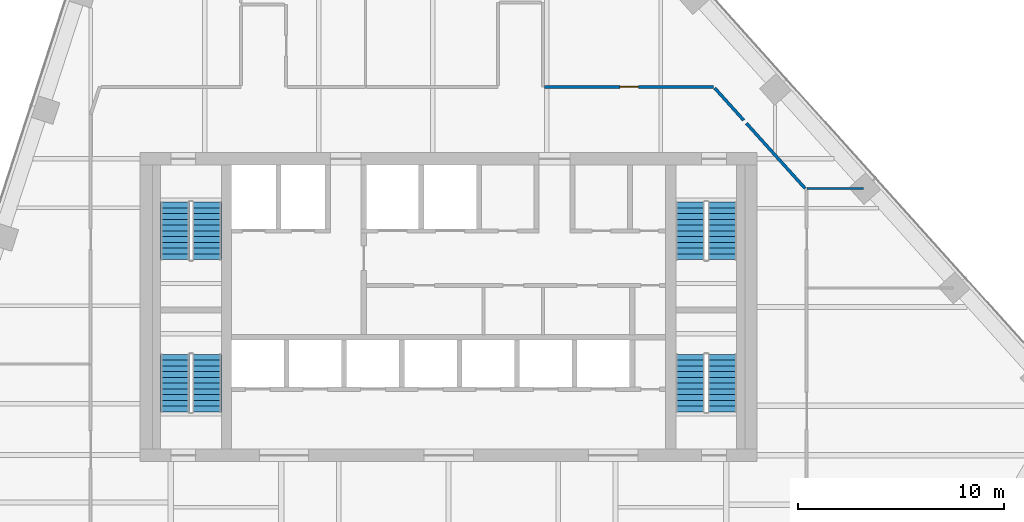
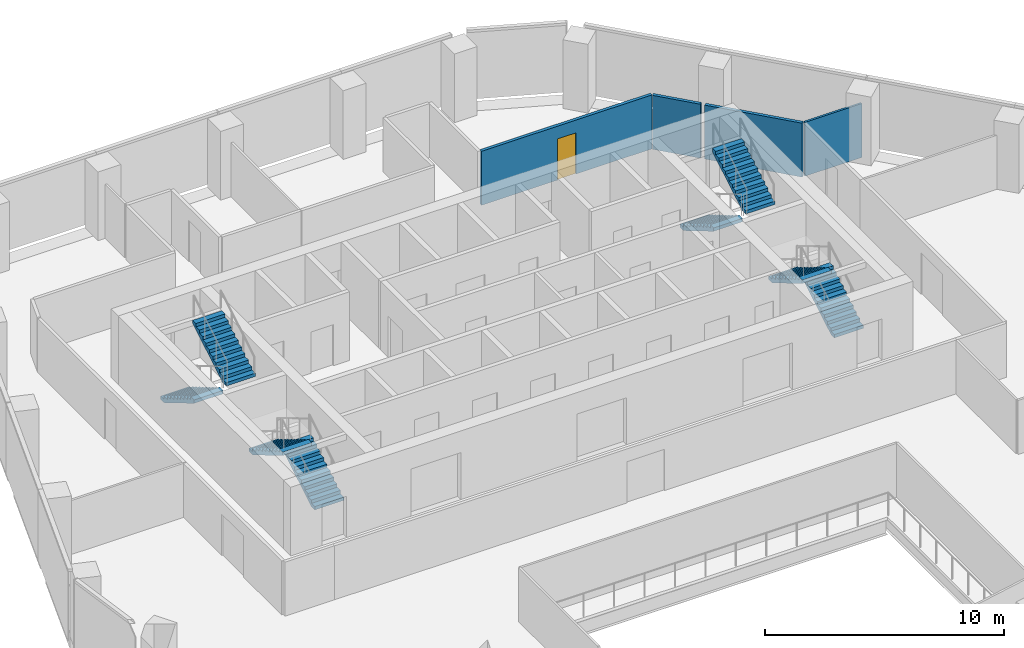
# One storey, part 11 of 15: 8 stair flights, 4 walls, 1 door, 1 opening, 4 elements without a shape of their own.
"""IFC4 building model written with IfcOpenShell, lengths in metres."""

from ifc_helpers import new_model, si_unit, direction, frame, frame_2d, origin, place, context, subcontext, project, spatial, polyline, rectangle, outline, extrude, material, layer, layer_set, type_object, element, fill, aggregate, save


model = new_model("IFC4")

# Units and contexts
model_context = context("Model", 3, precision=1e-05, world=origin(), true_north=direction((0.0, 1.0)))
body_context = subcontext(model_context, "Body", "Model", "MODEL_VIEW")
ifc_project = project(units=[si_unit("LENGTHUNIT", "METRE"), si_unit("AREAUNIT", "SQUARE_METRE"), si_unit("VOLUMEUNIT", "CUBIC_METRE"), si_unit("PLANEANGLEUNIT", "RADIAN"), si_unit("MASSUNIT", "GRAM", prefix="KILO")], contexts=[model_context])

# Site, building, storey
site_placement = place(None, origin())
site = spatial("IfcSite", under=ifc_project, at=site_placement, CompositionType="ELEMENT")
building_placement = place(site_placement, origin())
building = spatial("IfcBuilding", under=site, at=building_placement, Name="Isthmus Gate Tower", CompositionType="ELEMENT")
storey_placement = place(building_placement, frame((0.0, 0.0, 241.85009765625)))
storey = spatial("IfcBuildingStorey", under=building, at=storey_placement, Name="L61", CompositionType="ELEMENT", Elevation=241.85009765625)

# Wall, opening, door
ifc_material_1 = material(Name="Gypsum board on steel studs, fire-rated", Category="steel")
ifc_layer_1 = layer(ifc_material_1, 0.14990234375)
ifc_layer_set_1 = layer_set([ifc_layer_1], Name="CORRIDOR WALL 150 60 MIN")
wall_type_1 = type_object("IfcWallType", Name="CORRIDOR WALL 150 60 MIN", PredefinedType="PARTITIONING", material=ifc_layer_set_1)
wall_1_placement = place(storey_placement, frame((4.675048828125, 18.199951171875, 0.0), z_axis=(0.0, 0.0, 1.0), x_axis=(1.0, 0.0, 0.0)))
wall_1 = element("IfcWall", 1, at=wall_1_placement, inside=storey, type_object=wall_type_1, Name="L61 Corridor Wall 150 60 Min", PredefinedType="PARTITIONING", context=body_context, shape_type="SweptSolid", body=[
    extrude(rectangle(XDim=8.2099609375, YDim=0.14990234375, at=frame_2d((4.10498046875, 0.0))), origin(), (0.0, 0.0, 1.0), 2.75048828125),
])
opening_placement = place(wall_1_placement, frame((3.655029296875, 0.0, 0.0)))
opening = element("IfcOpeningElement", 2, at=opening_placement, cuts=wall_1, Name="Opening DT-T5C-03", PredefinedType="OPENING", context=body_context, shape_type="SweptSolid", body=[
    extrude(rectangle(XDim=0.89990234375, YDim=2.10009765625, at=frame_2d((0.449951171875, 1.050048828125))), frame((0.0, 0.0849609375, 0.0), z_axis=(0.0, -1.0, 0.0), x_axis=(1.0, 0.0, 0.0)), (0.0, 0.0, 1.0), 0.169921875),
])
ifc_material_2 = material(Name="Solid core timber door leaf, fire-rated", Category="wood")
door_type = type_object("IfcDoorType", Name="FIRE DOOR ROOM 900 X 2100 60 MIN", OperationType="SINGLE_SWING_LEFT", PredefinedType="DOOR", material=ifc_material_2)
door_placement = place(opening_placement, origin())
door = element("IfcDoor", 3, at=door_placement, inside=storey, type_object=door_type, Name="L61 room door", OperationType="SINGLE_SWING_RIGHT", OverallHeight=2.10009765625, OverallWidth=0.89990234375, PredefinedType="DOOR", context=body_context, shape_type="SweptSolid", body=[
    extrude(rectangle(XDim=0.89990234375, YDim=2.10009765625, at=frame_2d((0.449951171875, 1.050048828125))), frame((0.0, 0.02490234375, 0.0), z_axis=(0.0, -1.0, 0.0), x_axis=(1.0, 0.0, 0.0)), (0.0, 0.0, 1.0), 0.050048828125),
])
fill(opening, door)

# Walls
wall_2_placement = place(storey_placement, frame((12.935302734375, 18.144287109375, 0.0), z_axis=(0.0, 0.0, 1.0), x_axis=(0.669054213286, -0.743213603, 0.0)))
element("IfcWall", 4, at=wall_2_placement, inside=storey, type_object=wall_type_1, Name="L61 Corridor Wall 150 60 Min", PredefinedType="PARTITIONING", context=body_context, shape_type="SweptSolid", body=[
    extrude(rectangle(XDim=2.1103515625, YDim=0.14990234375, at=frame_2d((1.05517578125, 0.0))), origin(), (0.0, 0.0, 1.0), 2.75048828125),
])
wall_3_placement = place(storey_placement, frame((14.47607421875, 16.432861328125, 0.0), z_axis=(0.0, 0.0, 1.0), x_axis=(0.669119130918, -0.74315515785, 0.0)))
element("IfcWall", 5, at=wall_3_placement, inside=storey, type_object=wall_type_1, Name="L61 Corridor Wall 150 60 Min", PredefinedType="PARTITIONING", context=body_context, shape_type="SweptSolid", body=[
    extrude(rectangle(XDim=4.2802734375, YDim=0.14990234375, at=frame_2d((2.14013671875, 0.0))), origin(), (0.0, 0.0, 1.0), 2.75048828125),
])
ifc_material_3 = material(Name="Gypsum board on steel studs, fire-rated", Category="steel")
ifc_layer_2 = layer(ifc_material_3, 0.10009765625)
ifc_layer_set_2 = layer_set([ifc_layer_2], Name="ROOM PARTITION 100 30 MIN")
wall_type_2 = type_object("IfcWallType", Name="ROOM PARTITION 100 30 MIN", PredefinedType="PARTITIONING", material=ifc_layer_set_2)
wall_4_placement = place(storey_placement, frame((17.423095703125, 13.251953125, 0.0), z_axis=(0.0, 0.0, 1.0), x_axis=(1.0, 0.0, 0.0)))
element("IfcWall", 6, at=wall_4_placement, inside=storey, type_object=wall_type_2, Name="L61 Room Partition 100 30 Min", PredefinedType="PARTITIONING", context=body_context, shape_type="SweptSolid", body=[
    extrude(rectangle(XDim=2.742919921875, YDim=0.10009765625, at=frame_2d((1.37158203125, 0.0))), origin(), (0.0, 0.0, 1.0), 2.75048828125),
])

# Stair, stair flights
ifc_material_4 = material(Name="Concrete f'c 40 MPa", Category="concrete")
stair_type = type_object("IfcStairType", Name="CORE STAIR 22 RISERS", PredefinedType="HALF_TURN_STAIR", material=ifc_material_4)
stair_1_placement = place(storey_placement, origin())
stair_1 = element("IfcStair", 7, at=stair_1_placement, inside=storey, type_object=stair_type, Name="L61 Exit Stair 1", PredefinedType="HALF_TURN_STAIR")
ifc_material_5 = material(Name="Concrete f'c 40 MPa", Category="concrete")
stair_flight_type = type_object("IfcStairFlightType", Name="STAIR FLIGHT RC 1400", PredefinedType="STRAIGHT", material=ifc_material_5)
stair_flight_1_placement = place(storey_placement, frame((-13.300048828125, 12.60009765625, 0.0), z_axis=(0.0, 0.0, 1.0), x_axis=(0.0, -1.0, 0.0)))
stair_flight_1 = element("IfcStairFlight", 8, at=stair_flight_1_placement, type_object=stair_flight_type, Name="ST1 flight 1", NumberOfRisers=11, NumberOfTreads=10, PredefinedType="STRAIGHT", RiserHeight=0.165909091, TreadLength=0.28, context=body_context, shape_type="SweptSolid", body=[
    extrude(outline(polyline([(0.0, 0.0), (0.0, 0.166015625), (0.280029296875, 0.166015625), (0.280029296875, 0.331787109375), (0.56005859375, 0.331787109375), (0.56005859375, 0.497802734375), (0.840087890625, 0.497802734375), (0.840087890625, 0.66357421875), (1.1201171875, 0.66357421875), (1.1201171875, 0.82958984375), (1.39990234375, 0.82958984375), (1.39990234375, 0.995361328125), (1.679931640625, 0.995361328125), (1.679931640625, 1.161376953125), (1.9599609375, 1.161376953125), (1.9599609375, 1.327392578125), (2.239990234375, 1.327392578125), (2.239990234375, 1.4931640625), (2.52001953125, 1.4931640625), (2.52001953125, 1.6591796875), (2.800048828125, 1.6591796875), (2.800048828125, 1.824951171875), (2.800048828125, 1.48486328125), (0.2939453125, 0.0), (0.0, 0.0)])), frame((0.0, 0.699951171875, 0.0), z_axis=(0.0, -1.0, 0.0), x_axis=(1.0, 0.0, 0.0)), (0.0, 0.0, 1.0), 1.39990234375),
])
stair_flight_2_placement = place(storey_placement, frame((-11.75, 9.800048828125, 1.824951171875), z_axis=(0.0, 0.0, 1.0), x_axis=(0.0, 1.0, 0.0)))
stair_flight_2 = element("IfcStairFlight", 9, at=stair_flight_2_placement, type_object=stair_flight_type, Name="ST1 flight 2", NumberOfRisers=11, NumberOfTreads=10, PredefinedType="STRAIGHT", RiserHeight=0.165909091, TreadLength=0.28, context=body_context, shape_type="SweptSolid", body=[
    extrude(outline(polyline([(0.0, 0.0), (0.0, 0.166015625), (0.280029296875, 0.166015625), (0.280029296875, 0.331787109375), (0.56005859375, 0.331787109375), (0.56005859375, 0.497802734375), (0.840087890625, 0.497802734375), (0.840087890625, 0.66357421875), (1.1201171875, 0.66357421875), (1.1201171875, 0.82958984375), (1.39990234375, 0.82958984375), (1.39990234375, 0.995361328125), (1.679931640625, 0.995361328125), (1.679931640625, 1.161376953125), (1.9599609375, 1.161376953125), (1.9599609375, 1.327392578125), (2.239990234375, 1.327392578125), (2.239990234375, 1.4931640625), (2.52001953125, 1.4931640625), (2.52001953125, 1.6591796875), (2.800048828125, 1.6591796875), (2.800048828125, 1.824951171875), (2.800048828125, 1.48486328125), (0.2939453125, 0.0), (0.0, 0.0)])), frame((0.0, 0.699951171875, 0.0), z_axis=(0.0, -1.0, 0.0), x_axis=(1.0, 0.0, 0.0)), (0.0, 0.0, 1.0), 1.39990234375),
])
aggregate(stair_1, [stair_flight_1, stair_flight_2])

stair_2_placement = place(storey_placement, origin())
stair_2 = element("IfcStair", 10, at=stair_2_placement, inside=storey, type_object=stair_type, Name="L61 Exit Stair 2", PredefinedType="HALF_TURN_STAIR")
stair_flight_3_placement = place(storey_placement, frame((11.75, 12.60009765625, 0.0), z_axis=(0.0, 0.0, 1.0), x_axis=(0.0, -1.0, 0.0)))
stair_flight_3 = element("IfcStairFlight", 11, at=stair_flight_3_placement, type_object=stair_flight_type, Name="ST2 flight 1", NumberOfRisers=11, NumberOfTreads=10, PredefinedType="STRAIGHT", RiserHeight=0.165909091, TreadLength=0.28, context=body_context, shape_type="SweptSolid", body=[
    extrude(outline(polyline([(0.0, 0.0), (0.0, 0.166015625), (0.280029296875, 0.166015625), (0.280029296875, 0.331787109375), (0.56005859375, 0.331787109375), (0.56005859375, 0.497802734375), (0.840087890625, 0.497802734375), (0.840087890625, 0.66357421875), (1.1201171875, 0.66357421875), (1.1201171875, 0.82958984375), (1.39990234375, 0.82958984375), (1.39990234375, 0.995361328125), (1.679931640625, 0.995361328125), (1.679931640625, 1.161376953125), (1.9599609375, 1.161376953125), (1.9599609375, 1.327392578125), (2.239990234375, 1.327392578125), (2.239990234375, 1.4931640625), (2.52001953125, 1.4931640625), (2.52001953125, 1.6591796875), (2.800048828125, 1.6591796875), (2.800048828125, 1.824951171875), (2.800048828125, 1.48486328125), (0.2939453125, 0.0), (0.0, 0.0)])), frame((0.0, 0.699951171875, 0.0), z_axis=(0.0, -1.0, 0.0), x_axis=(1.0, 0.0, 0.0)), (0.0, 0.0, 1.0), 1.39990234375),
])
stair_flight_4_placement = place(storey_placement, frame((13.300048828125, 9.800048828125, 1.824951171875), z_axis=(0.0, 0.0, 1.0), x_axis=(0.0, 1.0, 0.0)))
stair_flight_4 = element("IfcStairFlight", 12, at=stair_flight_4_placement, type_object=stair_flight_type, Name="ST2 flight 2", NumberOfRisers=11, NumberOfTreads=10, PredefinedType="STRAIGHT", RiserHeight=0.165909091, TreadLength=0.28, context=body_context, shape_type="SweptSolid", body=[
    extrude(outline(polyline([(0.0, 0.0), (0.0, 0.166015625), (0.280029296875, 0.166015625), (0.280029296875, 0.331787109375), (0.56005859375, 0.331787109375), (0.56005859375, 0.497802734375), (0.840087890625, 0.497802734375), (0.840087890625, 0.66357421875), (1.1201171875, 0.66357421875), (1.1201171875, 0.82958984375), (1.39990234375, 0.82958984375), (1.39990234375, 0.995361328125), (1.679931640625, 0.995361328125), (1.679931640625, 1.161376953125), (1.9599609375, 1.161376953125), (1.9599609375, 1.327392578125), (2.239990234375, 1.327392578125), (2.239990234375, 1.4931640625), (2.52001953125, 1.4931640625), (2.52001953125, 1.6591796875), (2.800048828125, 1.6591796875), (2.800048828125, 1.824951171875), (2.800048828125, 1.48486328125), (0.2939453125, 0.0), (0.0, 0.0)])), frame((0.0, 0.699951171875, 0.0), z_axis=(0.0, -1.0, 0.0), x_axis=(1.0, 0.0, 0.0)), (0.0, 0.0, 1.0), 1.39990234375),
])
aggregate(stair_2, [stair_flight_3, stair_flight_4])

stair_3_placement = place(storey_placement, origin())
stair_3 = element("IfcStair", 13, at=stair_3_placement, inside=storey, type_object=stair_type, Name="L61 Exit Stair 7", PredefinedType="HALF_TURN_STAIR")
stair_flight_5_placement = place(storey_placement, frame((-11.75, 2.39990234375, 0.0), z_axis=(0.0, 0.0, 1.0), x_axis=(0.0, 1.0, 0.0)))
stair_flight_5 = element("IfcStairFlight", 14, at=stair_flight_5_placement, type_object=stair_flight_type, Name="ST7 flight 1", NumberOfRisers=11, NumberOfTreads=10, PredefinedType="STRAIGHT", RiserHeight=0.165909091, TreadLength=0.28, context=body_context, shape_type="SweptSolid", body=[
    extrude(outline(polyline([(0.0, 0.0), (0.0, 0.166015625), (0.280029296875, 0.166015625), (0.280029296875, 0.331787109375), (0.56005859375, 0.331787109375), (0.56005859375, 0.497802734375), (0.840087890625, 0.497802734375), (0.840087890625, 0.66357421875), (1.1201171875, 0.66357421875), (1.1201171875, 0.82958984375), (1.39990234375, 0.82958984375), (1.39990234375, 0.995361328125), (1.679931640625, 0.995361328125), (1.679931640625, 1.161376953125), (1.9599609375, 1.161376953125), (1.9599609375, 1.327392578125), (2.239990234375, 1.327392578125), (2.239990234375, 1.4931640625), (2.52001953125, 1.4931640625), (2.52001953125, 1.6591796875), (2.800048828125, 1.6591796875), (2.800048828125, 1.824951171875), (2.800048828125, 1.48486328125), (0.2939453125, 0.0), (0.0, 0.0)])), frame((0.0, 0.699951171875, 0.0), z_axis=(0.0, -1.0, 0.0), x_axis=(1.0, 0.0, 0.0)), (0.0, 0.0, 1.0), 1.39990234375),
])
stair_flight_6_placement = place(storey_placement, frame((-13.300048828125, 5.199951171875, 1.824951171875), z_axis=(0.0, 0.0, 1.0), x_axis=(0.0, -1.0, 0.0)))
stair_flight_6 = element("IfcStairFlight", 15, at=stair_flight_6_placement, type_object=stair_flight_type, Name="ST7 flight 2", NumberOfRisers=11, NumberOfTreads=10, PredefinedType="STRAIGHT", RiserHeight=0.165909091, TreadLength=0.28, context=body_context, shape_type="SweptSolid", body=[
    extrude(outline(polyline([(0.0, 0.0), (0.0, 0.166015625), (0.280029296875, 0.166015625), (0.280029296875, 0.331787109375), (0.56005859375, 0.331787109375), (0.56005859375, 0.497802734375), (0.840087890625, 0.497802734375), (0.840087890625, 0.66357421875), (1.1201171875, 0.66357421875), (1.1201171875, 0.82958984375), (1.39990234375, 0.82958984375), (1.39990234375, 0.995361328125), (1.679931640625, 0.995361328125), (1.679931640625, 1.161376953125), (1.9599609375, 1.161376953125), (1.9599609375, 1.327392578125), (2.239990234375, 1.327392578125), (2.239990234375, 1.4931640625), (2.52001953125, 1.4931640625), (2.52001953125, 1.6591796875), (2.800048828125, 1.6591796875), (2.800048828125, 1.824951171875), (2.800048828125, 1.48486328125), (0.2939453125, 0.0), (0.0, 0.0)])), frame((0.0, 0.699951171875, 0.0), z_axis=(0.0, -1.0, 0.0), x_axis=(1.0, 0.0, 0.0)), (0.0, 0.0, 1.0), 1.39990234375),
])
aggregate(stair_3, [stair_flight_5, stair_flight_6])

stair_4_placement = place(storey_placement, origin())
stair_4 = element("IfcStair", 16, at=stair_4_placement, inside=storey, type_object=stair_type, Name="L61 Exit Stair 8", PredefinedType="HALF_TURN_STAIR")
stair_flight_7_placement = place(storey_placement, frame((13.300048828125, 2.39990234375, 0.0), z_axis=(0.0, 0.0, 1.0), x_axis=(0.0, 1.0, 0.0)))
stair_flight_7 = element("IfcStairFlight", 17, at=stair_flight_7_placement, type_object=stair_flight_type, Name="ST8 flight 1", NumberOfRisers=11, NumberOfTreads=10, PredefinedType="STRAIGHT", RiserHeight=0.165909091, TreadLength=0.28, context=body_context, shape_type="SweptSolid", body=[
    extrude(outline(polyline([(0.0, 0.0), (0.0, 0.166015625), (0.280029296875, 0.166015625), (0.280029296875, 0.331787109375), (0.56005859375, 0.331787109375), (0.56005859375, 0.497802734375), (0.840087890625, 0.497802734375), (0.840087890625, 0.66357421875), (1.1201171875, 0.66357421875), (1.1201171875, 0.82958984375), (1.39990234375, 0.82958984375), (1.39990234375, 0.995361328125), (1.679931640625, 0.995361328125), (1.679931640625, 1.161376953125), (1.9599609375, 1.161376953125), (1.9599609375, 1.327392578125), (2.239990234375, 1.327392578125), (2.239990234375, 1.4931640625), (2.52001953125, 1.4931640625), (2.52001953125, 1.6591796875), (2.800048828125, 1.6591796875), (2.800048828125, 1.824951171875), (2.800048828125, 1.48486328125), (0.2939453125, 0.0), (0.0, 0.0)])), frame((0.0, 0.699951171875, 0.0), z_axis=(0.0, -1.0, 0.0), x_axis=(1.0, 0.0, 0.0)), (0.0, 0.0, 1.0), 1.39990234375),
])
stair_flight_8_placement = place(storey_placement, frame((11.75, 5.199951171875, 1.824951171875), z_axis=(0.0, 0.0, 1.0), x_axis=(0.0, -1.0, 0.0)))
stair_flight_8 = element("IfcStairFlight", 18, at=stair_flight_8_placement, type_object=stair_flight_type, Name="ST8 flight 2", NumberOfRisers=11, NumberOfTreads=10, PredefinedType="STRAIGHT", RiserHeight=0.165909091, TreadLength=0.28, context=body_context, shape_type="SweptSolid", body=[
    extrude(outline(polyline([(0.0, 0.0), (0.0, 0.166015625), (0.280029296875, 0.166015625), (0.280029296875, 0.331787109375), (0.56005859375, 0.331787109375), (0.56005859375, 0.497802734375), (0.840087890625, 0.497802734375), (0.840087890625, 0.66357421875), (1.1201171875, 0.66357421875), (1.1201171875, 0.82958984375), (1.39990234375, 0.82958984375), (1.39990234375, 0.995361328125), (1.679931640625, 0.995361328125), (1.679931640625, 1.161376953125), (1.9599609375, 1.161376953125), (1.9599609375, 1.327392578125), (2.239990234375, 1.327392578125), (2.239990234375, 1.4931640625), (2.52001953125, 1.4931640625), (2.52001953125, 1.6591796875), (2.800048828125, 1.6591796875), (2.800048828125, 1.824951171875), (2.800048828125, 1.48486328125), (0.2939453125, 0.0), (0.0, 0.0)])), frame((0.0, 0.699951171875, 0.0), z_axis=(0.0, -1.0, 0.0), x_axis=(1.0, 0.0, 0.0)), (0.0, 0.0, 1.0), 1.39990234375),
])
aggregate(stair_4, [stair_flight_7, stair_flight_8])

save(model, "model.ifc")
